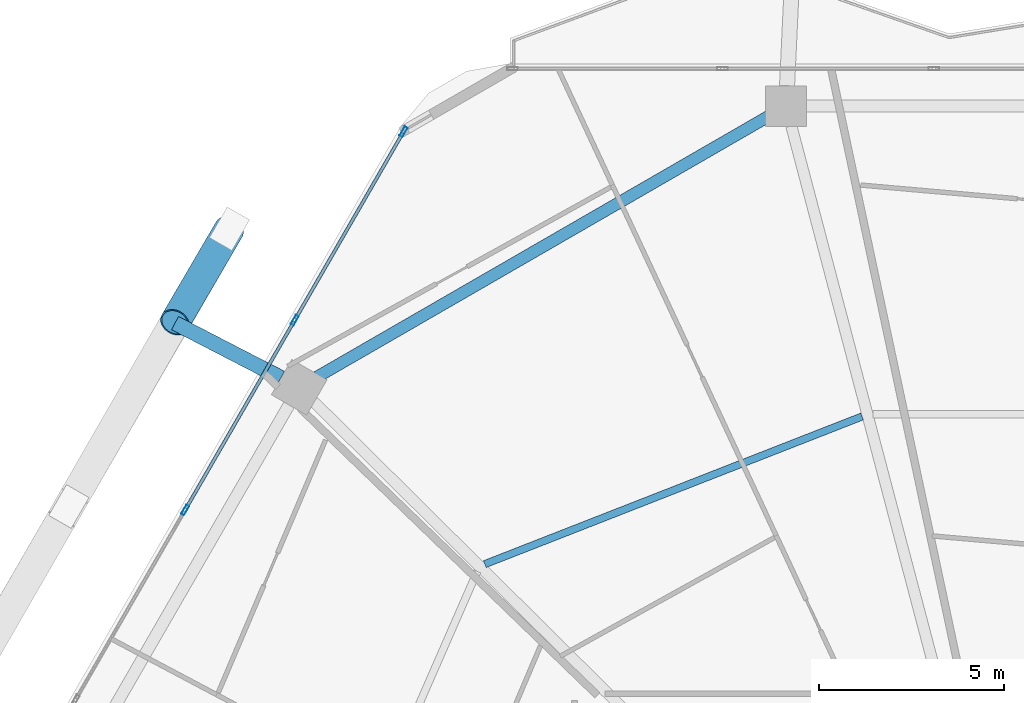
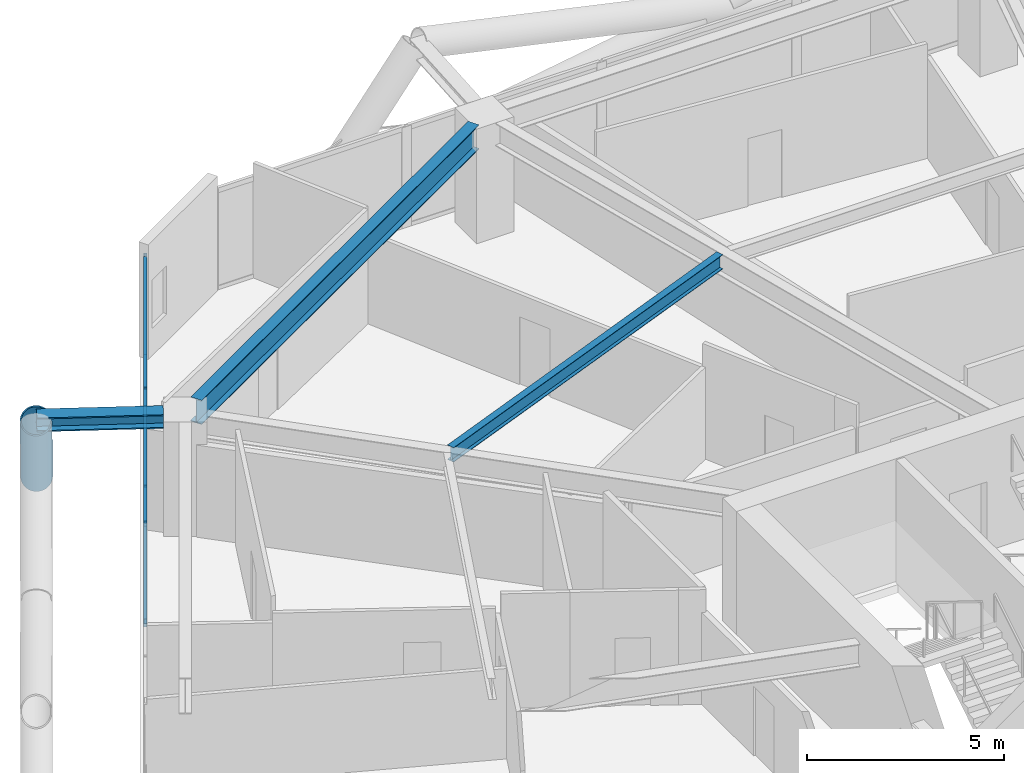
# One storey, part 18 of 35: 8 members, 3 beams, 1 element without a shape of its own.
"""IFC4 building model written with IfcOpenShell, lengths in metres."""

import ifcopenshell
import ifcopenshell.guid

model = None  # the IFC model being written
_history = None  # IfcOwnerHistory: only IFC2X3 demands one
_inside = {}  # id of a spatial element -> (the spatial element, [elements in it])
_under = {}  # id of a project, library or spatial element -> (it, [spatial elements below it])
_declared = {}  # id of a project -> (the project, [libraries it declares])
_typed = {}  # id of a type object -> (the type object, [elements of that type])
_made_of = {}  # id of a material, layer set ... -> (it, [elements and type objects made of it])


def new_model(schema):
    """Start an empty IFC model of exactly this schema.

    Asked for "IFC4X3", IfcOpenShell would pick the latest addendum, in which some entities
    have other attributes; the version numbers below select the first issue.
    IFC2X3 requires an IfcOwnerHistory on every rooted entity: one is made here for all.
    """
    global model, _history
    if schema == "IFC4X3":
        model = ifcopenshell.file(schema_version=(4, 3, 0, 0))
    else:
        model = ifcopenshell.file(schema=schema)
    _inside.clear()
    _under.clear()
    _declared.clear()
    _typed.clear()
    _made_of.clear()
    _history = None
    if model.schema == "IFC2X3":
        org = make("IfcOrganization", Name="unknown")
        user = make(
            "IfcPersonAndOrganization",
            ThePerson=make("IfcPerson", FamilyName="unknown"),
            TheOrganization=org,
        )
        app = make(
            "IfcApplication",
            ApplicationDeveloper=org,
            Version="unknown",
            ApplicationFullName="unknown",
            ApplicationIdentifier="unknown",
        )
        _history = make(
            "IfcOwnerHistory",
            OwningUser=user,
            OwningApplication=app,
            ChangeAction="ADDED",
            CreationDate=0,
        )
    return model


def make(cls, **values):
    """One entity of the class cls with the attributes given. An attribute that is None is left unset."""
    return model.create_entity(
        cls, **{name: value for name, value in values.items() if value is not None}
    )


def rooted(cls, **values):
    """An entity with a GlobalId (a new one), such as an element, a storey or a relation."""
    return make(cls, GlobalId=ifcopenshell.guid.new(), OwnerHistory=_history, **values)


def si_unit(unit_type, name, prefix=None):
    """IfcSIUnit, for example si_unit("LENGTHUNIT", "METRE", prefix="MILLI")."""
    return make("IfcSIUnit", UnitType=unit_type, Prefix=prefix, Name=name)


def assignment(units):
    """IfcUnitAssignment: the units of a project."""
    return None if units is None else make("IfcUnitAssignment", Units=units)


def point(xyz):
    """IfcCartesianPoint."""
    return None if xyz is None else make("IfcCartesianPoint", Coordinates=xyz)


def direction(xyz):
    """IfcDirection."""
    return None if xyz is None else make("IfcDirection", DirectionRatios=xyz)


def frame(location, z_axis=None, x_axis=None):
    """IfcAxis2Placement3D, a coordinate frame: its origin and axes. An axis left out is left unset."""
    return make(
        "IfcAxis2Placement3D",
        Location=point(location),
        Axis=direction(z_axis),
        RefDirection=direction(x_axis),
    )


def frame_2d(location, x_axis=None):
    """IfcAxis2Placement2D, a coordinate frame in the plane: its origin and x axis."""
    return make(
        "IfcAxis2Placement2D", Location=point(location), RefDirection=direction(x_axis)
    )


def origin():
    """The frame at (0, 0, 0) with its axes left unset."""
    return frame((0.0, 0.0, 0.0))


def origin_2d():
    """The frame at (0, 0) in the plane with its x axis left unset."""
    return frame_2d((0.0, 0.0))


def place(relative_to, where):
    """IfcLocalPlacement: puts the frame where relative to a parent placement (None: the world)."""
    return make(
        "IfcLocalPlacement", PlacementRelTo=relative_to, RelativePlacement=where
    )


def context(
    kind, dimensions, precision=None, world=None, true_north=None, identifier=None
):
    """IfcGeometricRepresentationContext, for example the 3D "Model" context."""
    return make(
        "IfcGeometricRepresentationContext",
        ContextIdentifier=identifier,
        ContextType=kind,
        CoordinateSpaceDimension=dimensions,
        Precision=precision,
        WorldCoordinateSystem=world,
        TrueNorth=true_north,
    )


def subcontext(parent, identifier, kind, view, scale=None):
    """IfcGeometricRepresentationSubContext, for example "Body" below "Model"."""
    return make(
        "IfcGeometricRepresentationSubContext",
        ContextIdentifier=identifier,
        ContextType=kind,
        ParentContext=parent,
        TargetScale=scale,
        TargetView=view,
    )


def project(units=None, contexts=None):
    """IfcProject with its units and contexts."""
    return rooted(
        "IfcProject",
        Name="project",
        RepresentationContexts=contexts,
        UnitsInContext=assignment(units),
    )


def spatial(cls, under=None, at=None, **own):
    """A site, building, storey or space (cls), placed at a placement, below another one or the project."""
    s = rooted(cls, ObjectPlacement=at, **own)
    if under is not None:
        _under.setdefault(under.id(), (under, []))[1].append(s)
    return s


def profile(cls, at=None, kind="AREA", **sizes):
    """A parametric profile (cls). Its sizes go by their IFC names, for example OverallWidth=200.0."""
    return make(cls, ProfileType=kind, Position=at, **sizes)


def hollow_rectangle(**sizes):
    """IfcRectangleHollowProfileDef."""
    return profile("IfcRectangleHollowProfileDef", **sizes)


def hollow_circle(**sizes):
    """IfcCircleHollowProfileDef."""
    return profile("IfcCircleHollowProfileDef", **sizes)


def i_section(**sizes):
    """IfcIShapeProfileDef."""
    return profile("IfcIShapeProfileDef", **sizes)


def extrude(swept, where, along, depth):
    """IfcExtrudedAreaSolid: the profile swept, set in the frame where, extruded along a direction by depth."""
    return make(
        "IfcExtrudedAreaSolid",
        SweptArea=swept,
        Position=where,
        ExtrudedDirection=direction(along),
        Depth=depth,
    )


def shape(context_of_items, identifier, shape_type, items):
    """IfcShapeRepresentation: the items that make up one representation, for example the "Body"."""
    return make(
        "IfcShapeRepresentation",
        ContextOfItems=context_of_items,
        RepresentationIdentifier=identifier,
        RepresentationType=shape_type,
        Items=items,
    )


def material(Name=None, Category=None):
    """IfcMaterial."""
    return make("IfcMaterial", Name=Name, Category=Category)


def material_profile(
    of_material, cross_section, Name=None, Category=None, Priority=None
):
    """IfcMaterialProfile: a cross section and its material."""
    return make(
        "IfcMaterialProfile",
        Name=Name,
        Material=of_material,
        Profile=cross_section,
        Priority=Priority,
        Category=Category,
    )


def profile_set(profiles, Name=None, composite=None):
    """IfcMaterialProfileSet."""
    return make(
        "IfcMaterialProfileSet",
        Name=Name,
        MaterialProfiles=profiles,
        CompositeProfile=composite,
    )


def made_of(thing, what):
    """Note that an element or type object is made of a material, layer set ...; save() writes the relation."""
    if what is not None:
        _made_of.setdefault(what.id(), (what, []))[1].append(thing)
    return thing


def type_object(cls, material=None, **own):
    """A type object (cls), such as IfcWallType, which elements share."""
    return made_of(rooted(cls, **own), material)


def element(
    cls,
    number,
    at=None,
    inside=None,
    cuts=None,
    type_object=None,
    material=None,
    context=None,
    identifier="Body",
    shape_type=None,
    held_by="IfcProductDefinitionShape",
    body=None,
    shapes=None,
    **own,
):
    """One element of the class cls, such as IfcWall. Its Tag is "e" and its number.

    at: its placement. inside: the storey or other place that contains it. cuts: it is an
    opening in that element (IfcRelVoidsElement). A single representation is given by context,
    identifier, shape_type and body (its items); several are given by shapes. held_by: the class
    of the entity that holds the representations. save() writes the other relations.
    """
    e = rooted(cls, Tag="e%d" % number, ObjectPlacement=at, **own)
    if body is not None:
        shapes = [shape(context, identifier, shape_type, body)]
    if shapes is not None:
        e.Representation = make(held_by, Representations=shapes)
    if inside is not None:
        _inside.setdefault(inside.id(), (inside, []))[1].append(e)
    if cuts is not None:
        rooted(
            "IfcRelVoidsElement", RelatingBuildingElement=cuts, RelatedOpeningElement=e
        )
    if type_object is not None:
        _typed.setdefault(type_object.id(), (type_object, []))[1].append(e)
    return made_of(e, material)


def aggregate(whole, parts):
    """IfcRelAggregates: a whole, such as a stair, and the parts it consists of."""
    return rooted("IfcRelAggregates", RelatingObject=whole, RelatedObjects=parts)


def save(model, path):
    """Write the relations noted so far, then the file.

    IfcRelAggregates (storeys below a building ...), IfcRelContainedInSpatialStructure (elements
    in a storey), IfcRelDefinesByType, IfcRelAssociatesMaterial and IfcRelDeclares: one each for
    every whole, place, type object, material and project.
    """
    for whole, parts in _under.values():
        aggregate(whole, parts)
    for where, things in _inside.values():
        rooted(
            "IfcRelContainedInSpatialStructure",
            RelatedElements=things,
            RelatingStructure=where,
        )
    for kind, things in _typed.values():
        rooted("IfcRelDefinesByType", RelatedObjects=things, RelatingType=kind)
    for what, things in _made_of.values():
        rooted("IfcRelAssociatesMaterial", RelatedObjects=things, RelatingMaterial=what)
    for by, libraries in _declared.values():
        rooted("IfcRelDeclares", RelatingContext=by, RelatedDefinitions=libraries)
    model.write(path)


model = new_model("IFC4")

# Units and contexts
model_context = context("Model", 3, precision=1e-05, world=origin(), true_north=direction((0.0, 1.0)))
body_context = subcontext(model_context, "Body", "Model", "MODEL_VIEW")
ifc_project = project(units=[si_unit("LENGTHUNIT", "METRE"), si_unit("AREAUNIT", "SQUARE_METRE"), si_unit("VOLUMEUNIT", "CUBIC_METRE"), si_unit("PLANEANGLEUNIT", "RADIAN"), si_unit("MASSUNIT", "GRAM", prefix="KILO")], contexts=[model_context])

# Site, building, storey
site_placement = place(None, origin())
site = spatial("IfcSite", under=ifc_project, at=site_placement, CompositionType="ELEMENT")
building_placement = place(site_placement, origin())
building = spatial("IfcBuilding", under=site, at=building_placement, Name="Zuhravey Tower", CompositionType="ELEMENT")
storey_placement = place(building_placement, frame((0.0, 0.0, 138.0)))
storey = spatial("IfcBuildingStorey", under=building, at=storey_placement, Name="L34", CompositionType="ELEMENT", Elevation=138.0)

# Curtain wall, members
ifc_material_1 = material(Name="Thermally broken anodised aluminium", Category="aluminium")
curtain_wall_type = type_object("IfcCurtainWallType", Name="Zone 1-2 Residential Curtain Wall CW3", PredefinedType="NOTDEFINED", material=ifc_material_1)
curtain_wall_placement = place(storey_placement, origin())
curtain_wall = element("IfcCurtainWall", 1, at=curtain_wall_placement, inside=storey, type_object=curtain_wall_type, Name="L34 CW3 CW-L34-F3-1", PredefinedType="NOTDEFINED")
ifc_material_2 = material(Name="Anodised aluminium", Category="aluminium")
ifc_material_profile_1 = material_profile(ifc_material_2, hollow_rectangle(XDim=0.090087890625, YDim=0.284912109375, WallThickness=0.0048828125, at=origin_2d()), Name="ALU-RHS-90x285x5")
ifc_profile_set_1 = profile_set([ifc_material_profile_1], Name="Anodised aluminium")
member_type_1 = type_object("IfcMemberType", Name="Curtain-Wall Mullion 90x180", PredefinedType="MULLION", material=ifc_profile_set_1)
member_1_placement = place(storey_placement, frame((12.401123046875, 49.04248046875, 0.0), z_axis=(0.0, 0.0, 1.0), x_axis=(-0.86602552265, 0.499999794119, 0.0)))
member_1 = element("IfcMember", 2, at=member_1_placement, type_object=member_type_1, Name="CW3 mullion 4", PredefinedType="MULLION", context=body_context, shape_type="SweptSolid", body=[
    extrude(hollow_rectangle(XDim=0.090087890625, YDim=0.284912109375, WallThickness=0.0048828125, at=origin_2d()), origin(), (0.0, 0.0, 1.0), 3.1220703125),
])
member_2_placement = place(storey_placement, frame((15.361083984375, 54.169189453125, 0.0), z_axis=(0.0, 0.0, 1.0), x_axis=(-0.86602552265, 0.499999794119, 0.0)))
member_2 = element("IfcMember", 3, at=member_2_placement, type_object=member_type_1, Name="CW3 mullion 5", PredefinedType="MULLION", context=body_context, shape_type="SweptSolid", body=[
    extrude(hollow_rectangle(XDim=0.090087890625, YDim=0.284912109375, WallThickness=0.0048828125, at=origin_2d()), origin(), (0.0, 0.0, 1.0), 3.1220703125),
])
member_3_placement = place(storey_placement, frame((18.298583984375, 59.257080078125, 0.0), z_axis=(0.0, 0.0, 1.0), x_axis=(-0.86602552265, 0.499999794119, 0.0)))
member_3 = element("IfcMember", 4, at=member_3_placement, type_object=member_type_1, Name="CW3 mullion 6", PredefinedType="MULLION", context=body_context, shape_type="SweptSolid", body=[
    extrude(hollow_rectangle(XDim=0.090087890625, YDim=0.284912109375, WallThickness=0.0048828125, at=origin_2d()), origin(), (0.0, 0.0, 1.0), 3.1220703125),
])
ifc_material_profile_2 = material_profile(ifc_material_2, hollow_rectangle(XDim=0.090087890625, YDim=0.14990234375, WallThickness=0.0048828125, at=origin_2d()), Name="ALU-RHS-90x150x5")
ifc_profile_set_2 = profile_set([ifc_material_profile_2], Name="Anodised aluminium")
member_type_2 = type_object("IfcMemberType", Name="Curtain-Wall Transom 90x150", PredefinedType="USERDEFINED", material=ifc_profile_set_2)
member_4_placement = place(storey_placement, frame((12.423583984375, 49.08154296875, 0.044921875), z_axis=(0.500012451049, 0.866018215049, 0.0), x_axis=(-0.866018215049, 0.500012451049, 0.0)))
member_4 = element("IfcMember", 5, at=member_4_placement, type_object=member_type_2, Name="CW3 transom 4.1", ObjectType="TRANSOM", PredefinedType="USERDEFINED", context=body_context, shape_type="SweptSolid", body=[
    extrude(hollow_rectangle(XDim=0.090087890625, YDim=0.14990234375, WallThickness=0.0048828125, at=origin_2d()), origin(), (0.0, 0.0, 1.0), 5.829833984375),
])
member_5_placement = place(storey_placement, frame((12.423583984375, 49.08154296875, 3.076904296875), z_axis=(0.500012451049, 0.866018215049, 0.0), x_axis=(-0.866018215049, 0.500012451049, 0.0)))
member_5 = element("IfcMember", 6, at=member_5_placement, type_object=member_type_2, Name="CW3 transom 4.2", ObjectType="TRANSOM", PredefinedType="USERDEFINED", context=body_context, shape_type="SweptSolid", body=[
    extrude(hollow_rectangle(XDim=0.090087890625, YDim=0.14990234375, WallThickness=0.0048828125, at=origin_2d()), origin(), (0.0, 0.0, 1.0), 5.829833984375),
])
member_6_placement = place(storey_placement, frame((15.383544921875, 54.208251953125, 0.044921875), z_axis=(0.499992798144, 0.866029561738, 0.0), x_axis=(-0.866029561738, 0.499992798144, 0.0)))
member_6 = element("IfcMember", 7, at=member_6_placement, type_object=member_type_2, Name="CW3 transom 5.1", ObjectType="TRANSOM", PredefinedType="USERDEFINED", context=body_context, shape_type="SweptSolid", body=[
    extrude(hollow_rectangle(XDim=0.090087890625, YDim=0.14990234375, WallThickness=0.0048828125, at=origin_2d()), origin(), (0.0, 0.0, 1.0), 5.78466796875),
])
member_7_placement = place(storey_placement, frame((15.383544921875, 54.208251953125, 3.076904296875), z_axis=(0.499992798144, 0.866029561738, 0.0), x_axis=(-0.866029561738, 0.499992798144, 0.0)))
member_7 = element("IfcMember", 8, at=member_7_placement, type_object=member_type_2, Name="CW3 transom 5.2", ObjectType="TRANSOM", PredefinedType="USERDEFINED", context=body_context, shape_type="SweptSolid", body=[
    extrude(hollow_rectangle(XDim=0.090087890625, YDim=0.14990234375, WallThickness=0.0048828125, at=origin_2d()), origin(), (0.0, 0.0, 1.0), 5.78466796875),
])
aggregate(curtain_wall, [member_1, member_2, member_3, member_4, member_5, member_6, member_7])

# Beam
ifc_material_3 = material(Name="Steel SM460", Category="steel")
ifc_material_profile_3 = material_profile(ifc_material_3, i_section(OverallWidth=0.406982421875, OverallDepth=0.427978515625, WebThickness=0.02001953125, FlangeThickness=0.034912109375, at=origin_2d()), Name="H-428x407x20x35")
ifc_profile_set_3 = profile_set([ifc_material_profile_3], Name="Steel SM460")
beam_type_1 = type_object("IfcBeamType", Name="Exoskeleton Node Tie Beam H428x407", PredefinedType="BEAM", material=ifc_profile_set_3)
beam_1_placement = place(storey_placement, frame((14.98828125, 52.611572265625, 3.3359375), z_axis=(-0.888356317313, 0.459154716289, 0.0), x_axis=(-0.459154716289, -0.888356317313, 0.0)))
element("IfcBeam", 9, at=beam_1_placement, inside=storey, type_object=beam_type_1, Name="L34 Exoskeleton Node Tie NT1-05", PredefinedType="BEAM", context=body_context, shape_type="SweptSolid", body=[
    extrude(i_section(OverallWidth=0.406982421875, OverallDepth=0.427978515625, WebThickness=0.02001953125, FlangeThickness=0.034912109375, at=origin_2d()), origin(), (0.0, 0.0, 1.0), 3.219482421875),
])

# Member
ifc_material_profile_4 = material_profile(ifc_material_3, hollow_circle(Radius=0.406494140625, WallThickness=0.035888671875, at=origin_2d()), Name="CHS-812.8x36")
ifc_profile_set_4 = profile_set([ifc_material_profile_4], Name="Steel SM460")
member_type_3 = type_object("IfcMemberType", Name="Exoskeleton Zone 1 Diagrid CHS813x36", PredefinedType="BRACE", material=ifc_profile_set_4)
member_8_placement = place(storey_placement, frame((13.5908203125, 56.623291015625, -0.44189453125), z_axis=(-0.308863561173, -0.528716858128, 0.790608490032), x_axis=(0.863462148259, -0.50441363832, 0.0)))
element("IfcMember", 10, at=member_8_placement, inside=storey, type_object=member_type_3, Name="L34 Face 3 Diagrid Brace 1", PredefinedType="BRACE", context=body_context, shape_type="SweptSolid", body=[
    extrude(hollow_circle(Radius=0.406494140625, WallThickness=0.035888671875, at=origin_2d()), origin(), (0.0, 0.0, 1.0), 4.75048828125),
])

# Beams
ifc_material_4 = material(Name="Steel SM355", Category="steel")
ifc_material_profile_5 = material_profile(ifc_material_4, i_section(OverallWidth=0.320068359375, OverallDepth=0.75, WebThickness=0.013916015625, FlangeThickness=0.02490234375, at=origin_2d()), Name="H-750x320x14x25")
ifc_profile_set_5 = profile_set([ifc_material_profile_5], Name="Steel SM355")
beam_type_2 = type_object("IfcBeamType", Name="Perimeter Ring Beam H750x320", PredefinedType="BEAM", material=ifc_profile_set_5)
beam_2_placement = place(storey_placement, frame((28.151123046875, 59.672119140625, 3.175048828125), z_axis=(-0.866017786538, -0.500013193225, 0.0), x_axis=(0.500013193225, -0.866017786538, 0.0)))
element("IfcBeam", 11, at=beam_2_placement, inside=storey, type_object=beam_type_2, Name="L34 PB1 BM-L34-PB-04", PredefinedType="BEAM", context=body_context, shape_type="SweptSolid", body=[
    extrude(i_section(OverallWidth=0.320068359375, OverallDepth=0.75, WebThickness=0.013916015625, FlangeThickness=0.02490234375, at=origin_2d()), origin(), (0.0, 0.0, 1.0), 14.0771484375),
])
ifc_material_profile_6 = material_profile(ifc_material_4, i_section(OverallWidth=0.199951171875, OverallDepth=0.449951171875, WebThickness=0.009033203125, FlangeThickness=0.013916015625, at=origin_2d()), Name="H-450x200x9x14")
ifc_profile_set_6 = profile_set([ifc_material_profile_6], Name="Steel SM355")
beam_type_3 = type_object("IfcBeamType", Name="Secondary Floor Joist H450x200", PredefinedType="JOIST", material=ifc_profile_set_6)
beam_3_placement = place(storey_placement, frame((30.681640625, 51.568359375, 3.324951171875), z_axis=(-0.931216764731, -0.364465824302, 0.0), x_axis=(0.364465824302, -0.931216764731, 0.0)))
element("IfcBeam", 12, at=beam_3_placement, inside=storey, type_object=beam_type_3, Name="L34 SJ1 BM-L34-SJ-04-1", PredefinedType="JOIST", context=body_context, shape_type="SweptSolid", body=[
    extrude(i_section(OverallWidth=0.199951171875, OverallDepth=0.449951171875, WebThickness=0.009033203125, FlangeThickness=0.013916015625, at=origin_2d()), origin(), (0.0, 0.0, 1.0), 10.939453125),
])

save(model, "model.ifc")
